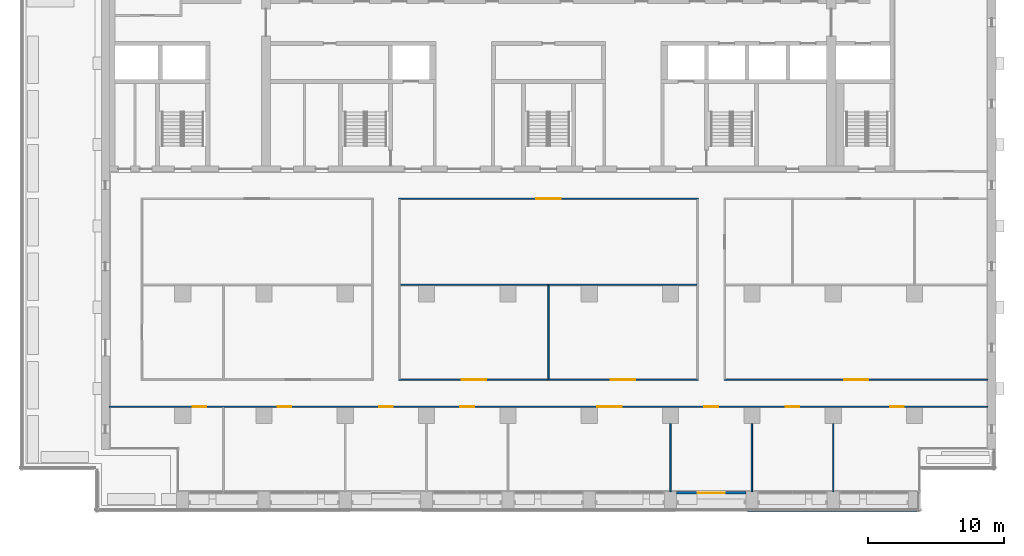
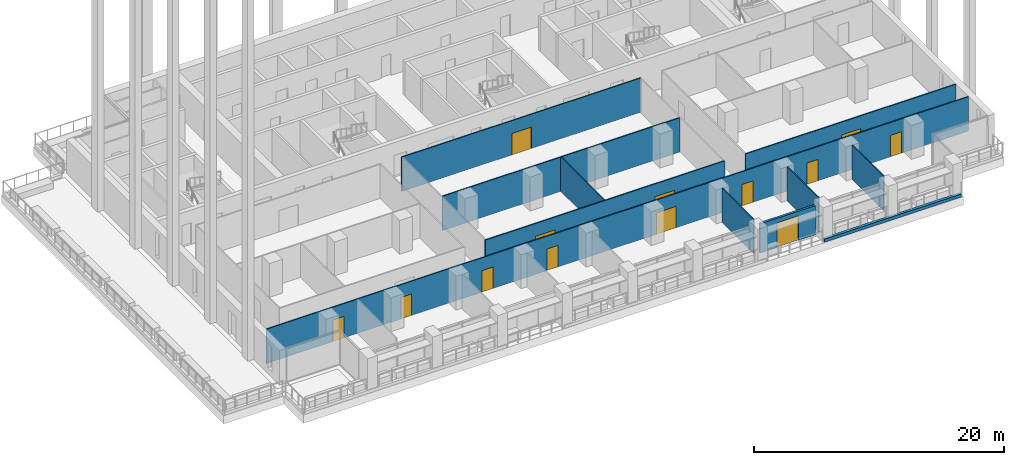
# One storey, part 9 of 19: 13 doors, 11 walls, 13 openings.
"""IFC4 building model written with IfcOpenShell, lengths in metres."""

from ifc_helpers import new_model, si_unit, direction, frame, frame_2d, origin, place, context, subcontext, project, spatial, rectangle, extrude, material, layer, layer_set, type_object, element, fill, save


model = new_model("IFC4")

# Units and contexts
model_context = context("Model", 3, precision=1e-05, world=origin(), true_north=direction((0.0, 1.0)))
body_context = subcontext(model_context, "Body", "Model", "MODEL_VIEW")
ifc_project = project(units=[si_unit("LENGTHUNIT", "METRE"), si_unit("AREAUNIT", "SQUARE_METRE"), si_unit("VOLUMEUNIT", "CUBIC_METRE"), si_unit("PLANEANGLEUNIT", "RADIAN"), si_unit("MASSUNIT", "GRAM", prefix="KILO")], contexts=[model_context])

# Site, building, storey
site_placement = place(None, origin())
site = spatial("IfcSite", under=ifc_project, at=site_placement, CompositionType="ELEMENT")
building_placement = place(site_placement, origin())
building = spatial("IfcBuilding", under=site, at=building_placement, Name="Calvaro Tower", CompositionType="ELEMENT")
storey_placement = place(building_placement, frame((0.0, 0.0, 166.75)))
storey = spatial("IfcBuildingStorey", under=building, at=storey_placement, Name="L41", CompositionType="ELEMENT", Elevation=166.75)

# Wall, opening, door
ifc_material_1 = material(Name="Anodised aluminium", Category="aluminium")
ifc_layer_1 = layer(ifc_material_1, 0.199951171875)
ifc_layer_set_1 = layer_set([ifc_layer_1], Name="Anodised aluminium")
wall_type_1 = type_object("IfcWallType", Name="Insulated door wall 200", PredefinedType="SOLIDWALL", material=ifc_layer_set_1)
wall_1_placement = place(storey_placement, frame((48.449951171875, 4.300048828125, 0.0), z_axis=(0.0, 0.0, 1.0), x_axis=(1.0, 0.0, 0.0)))
wall_1 = element("IfcWall", 1, at=wall_1_placement, inside=storey, type_object=wall_type_1, Name="Door wall", PredefinedType="SOLIDWALL", context=body_context, shape_type="SweptSolid", body=[
    extrude(rectangle(XDim=5.10009765625, YDim=0.199951171875, at=frame_2d((2.550048828125, 0.0))), origin(), (0.0, 0.0, 1.0), 2.85009765625),
])
opening_1_placement = place(wall_1_placement, frame((1.550048828125, 0.0, 0.0)))
opening_1 = element("IfcOpeningElement", 2, at=opening_1_placement, cuts=wall_1, Name="Opening DT17", PredefinedType="OPENING", context=body_context, shape_type="SweptSolid", body=[
    extrude(rectangle(XDim=2.0, YDim=2.39990234375, at=frame_2d((1.0, 1.199951171875))), frame((0.0, 0.10986328125, 0.0), z_axis=(0.0, -1.0, 0.0), x_axis=(1.0, 0.0, 0.0)), (0.0, 0.0, 1.0), 0.219970703125),
])
ifc_material_2 = material(Name="Glass", Category="glass")
door_type_1 = type_object("IfcDoorType", Name="Terrace door pair 2000 x 2400", OperationType="DOUBLE_DOOR_SINGLE_SWING", PredefinedType="DOOR", material=ifc_material_2)
door_1_placement = place(opening_1_placement, frame((2.0, 0.0, 0.0), z_axis=(0.0, 0.0, 1.0), x_axis=(-1.0, 0.0, 0.0)))
door_1 = element("IfcDoor", 3, at=door_1_placement, inside=storey, type_object=door_type_1, Name="Terrace door", OperationType="DOUBLE_DOOR_SINGLE_SWING", OverallHeight=2.39990234375, OverallWidth=2.0, PredefinedType="DOOR", context=body_context, shape_type="SweptSolid", body=[
    extrude(rectangle(XDim=2.0, YDim=2.39990234375, at=frame_2d((1.0, 1.199951171875))), frame((0.0, 0.02490234375, 0.0), z_axis=(0.0, -1.0, 0.0), x_axis=(1.0, 0.0, 0.0)), (0.0, 0.0, 1.0), 0.050048828125),
])
fill(opening_1, door_1)

# Wall, openings, doors
ifc_material_3 = material(Name="Plasterboard on steel studs", Category="steel")
ifc_layer_2 = layer(ifc_material_3, 0.10009765625)
ifc_layer_set_2 = layer_set([ifc_layer_2], Name="Plasterboard on steel studs")
wall_type_2 = type_object("IfcWallType", Name="Partition 100", PredefinedType="PARTITIONING", material=ifc_layer_set_2)
wall_2_placement = place(storey_placement, frame((6.60009765625, 10.64990234375, 0.0), z_axis=(0.0, 0.0, 1.0), x_axis=(1.0, 0.0, 0.0)))
wall_2 = element("IfcWall", 4, at=wall_2_placement, inside=storey, type_object=wall_type_2, Name="Partition T42.W001", PredefinedType="PARTITIONING", context=body_context, shape_type="SweptSolid", body=[
    extrude(rectangle(XDim=64.7998046875, YDim=0.10009765625, at=frame_2d((32.39990234375, 0.0))), origin(), (0.0, 0.0, 1.0), 3.35009765625),
])
opening_2_placement = place(wall_2_placement, frame((12.39990234375, 0.0, 0.0)))
opening_2 = element("IfcOpeningElement", 5, at=opening_2_placement, cuts=wall_2, Name="Opening T42.001", PredefinedType="OPENING", context=body_context, shape_type="SweptSolid", body=[
    extrude(rectangle(XDim=1.0, YDim=2.10009765625, at=frame_2d((0.5, 1.050048828125))), frame((0.0, 0.06005859375, 0.0), z_axis=(0.0, -1.0, 0.0), x_axis=(1.0, 0.0, 0.0)), (0.0, 0.0, 1.0), 0.1201171875),
])
opening_3_placement = place(wall_2_placement, frame((19.89990234375, 0.0, 0.0)))
opening_3 = element("IfcOpeningElement", 6, at=opening_3_placement, cuts=wall_2, Name="Opening T42.002", PredefinedType="OPENING", context=body_context, shape_type="SweptSolid", body=[
    extrude(rectangle(XDim=1.0, YDim=2.10009765625, at=frame_2d((0.5, 1.050048828125))), frame((0.0, 0.06005859375, 0.0), z_axis=(0.0, -1.0, 0.0), x_axis=(1.0, 0.0, 0.0)), (0.0, 0.0, 1.0), 0.1201171875),
])
opening_4_placement = place(wall_2_placement, frame((25.89990234375, 0.0, 0.0)))
opening_4 = element("IfcOpeningElement", 7, at=opening_4_placement, cuts=wall_2, Name="Opening T42.003", PredefinedType="OPENING", context=body_context, shape_type="SweptSolid", body=[
    extrude(rectangle(XDim=1.0, YDim=2.10009765625, at=frame_2d((0.5, 1.050048828125))), frame((0.0, 0.06005859375, 0.0), z_axis=(0.0, -1.0, 0.0), x_axis=(1.0, 0.0, 0.0)), (0.0, 0.0, 1.0), 0.1201171875),
])
opening_5_placement = place(wall_2_placement, frame((36.0, 0.0, 0.0)))
opening_5 = element("IfcOpeningElement", 8, at=opening_5_placement, cuts=wall_2, Name="Opening T42.004", PredefinedType="OPENING", context=body_context, shape_type="SweptSolid", body=[
    extrude(rectangle(XDim=1.800048828125, YDim=2.10009765625, at=frame_2d((0.89990234375, 1.050048828125))), frame((0.0, 0.06005859375, 0.0), z_axis=(0.0, -1.0, 0.0), x_axis=(1.0, 0.0, 0.0)), (0.0, 0.0, 1.0), 0.1201171875),
])
opening_6_placement = place(wall_2_placement, frame((43.89990234375, 0.0, 0.0)))
opening_6 = element("IfcOpeningElement", 9, at=opening_6_placement, cuts=wall_2, Name="Opening T42.005", PredefinedType="OPENING", context=body_context, shape_type="SweptSolid", body=[
    extrude(rectangle(XDim=1.0, YDim=2.10009765625, at=frame_2d((0.5, 1.050048828125))), frame((0.0, 0.06005859375, 0.0), z_axis=(0.0, -1.0, 0.0), x_axis=(1.0, 0.0, 0.0)), (0.0, 0.0, 1.0), 0.1201171875),
])
opening_7_placement = place(wall_2_placement, frame((49.89990234375, 0.0, 0.0)))
opening_7 = element("IfcOpeningElement", 10, at=opening_7_placement, cuts=wall_2, Name="Opening T42.006", PredefinedType="OPENING", context=body_context, shape_type="SweptSolid", body=[
    extrude(rectangle(XDim=1.0, YDim=2.10009765625, at=frame_2d((0.5, 1.050048828125))), frame((0.0, 0.06005859375, 0.0), z_axis=(0.0, -1.0, 0.0), x_axis=(1.0, 0.0, 0.0)), (0.0, 0.0, 1.0), 0.1201171875),
])
opening_8_placement = place(wall_2_placement, frame((57.60009765625, 0.0, 0.0)))
opening_8 = element("IfcOpeningElement", 11, at=opening_8_placement, cuts=wall_2, Name="Opening T42.007", PredefinedType="OPENING", context=body_context, shape_type="SweptSolid", body=[
    extrude(rectangle(XDim=1.0, YDim=2.10009765625, at=frame_2d((0.5, 1.050048828125))), frame((0.0, 0.06005859375, 0.0), z_axis=(0.0, -1.0, 0.0), x_axis=(1.0, 0.0, 0.0)), (0.0, 0.0, 1.0), 0.1201171875),
])
opening_9_placement = place(wall_2_placement, frame((6.14990234375, 0.0, 0.0)))
opening_9 = element("IfcOpeningElement", 12, at=opening_9_placement, cuts=wall_2, Name="Opening T42.008", PredefinedType="OPENING", context=body_context, shape_type="SweptSolid", body=[
    extrude(rectangle(XDim=1.0, YDim=2.10009765625, at=frame_2d((0.5, 1.050048828125))), frame((0.0, 0.06005859375, 0.0), z_axis=(0.0, -1.0, 0.0), x_axis=(1.0, 0.0, 0.0)), (0.0, 0.0, 1.0), 0.1201171875),
])
ifc_material_4 = material(Name="Timber", Category="wood")
door_type_2 = type_object("IfcDoorType", Name="Internal double door 1800 x 2100", OperationType="DOUBLE_DOOR_SINGLE_SWING", PredefinedType="DOOR", material=ifc_material_4)
door_2_placement = place(opening_5_placement, origin())
door_2 = element("IfcDoor", 13, at=door_2_placement, inside=storey, type_object=door_type_2, Name="Door T42.004", OperationType="DOUBLE_DOOR_SINGLE_SWING", OverallHeight=2.10009765625, OverallWidth=1.800048828125, PredefinedType="DOOR", context=body_context, shape_type="SweptSolid", body=[
    extrude(rectangle(XDim=1.800048828125, YDim=2.10009765625, at=frame_2d((0.89990234375, 1.050048828125))), frame((0.0, 0.02490234375, 0.0), z_axis=(0.0, -1.0, 0.0), x_axis=(1.0, 0.0, 0.0)), (0.0, 0.0, 1.0), 0.050048828125),
])
fill(opening_5, door_2)
ifc_material_5 = material(Name="Timber", Category="wood")
door_type_3 = type_object("IfcDoorType", Name="Internal single door 1000 x 2100", OperationType="SINGLE_SWING_LEFT", PredefinedType="DOOR", material=ifc_material_5)
door_3_placement = place(opening_2_placement, origin())
door_3 = element("IfcDoor", 14, at=door_3_placement, inside=storey, type_object=door_type_3, Name="Door T42.001", OperationType="SINGLE_SWING_LEFT", OverallHeight=2.10009765625, OverallWidth=1.0, PredefinedType="DOOR", context=body_context, shape_type="SweptSolid", body=[
    extrude(rectangle(XDim=1.0, YDim=2.10009765625, at=frame_2d((0.5, 1.050048828125))), frame((0.0, 0.02490234375, 0.0), z_axis=(0.0, -1.0, 0.0), x_axis=(1.0, 0.0, 0.0)), (0.0, 0.0, 1.0), 0.050048828125),
])
fill(opening_2, door_3)
door_4_placement = place(opening_3_placement, origin())
door_4 = element("IfcDoor", 15, at=door_4_placement, inside=storey, type_object=door_type_3, Name="Door T42.002", OperationType="SINGLE_SWING_LEFT", OverallHeight=2.10009765625, OverallWidth=1.0, PredefinedType="DOOR", context=body_context, shape_type="SweptSolid", body=[
    extrude(rectangle(XDim=1.0, YDim=2.10009765625, at=frame_2d((0.5, 1.050048828125))), frame((0.0, 0.02490234375, 0.0), z_axis=(0.0, -1.0, 0.0), x_axis=(1.0, 0.0, 0.0)), (0.0, 0.0, 1.0), 0.050048828125),
])
fill(opening_3, door_4)
door_5_placement = place(opening_4_placement, origin())
door_5 = element("IfcDoor", 16, at=door_5_placement, inside=storey, type_object=door_type_3, Name="Door T42.003", OperationType="SINGLE_SWING_LEFT", OverallHeight=2.10009765625, OverallWidth=1.0, PredefinedType="DOOR", context=body_context, shape_type="SweptSolid", body=[
    extrude(rectangle(XDim=1.0, YDim=2.10009765625, at=frame_2d((0.5, 1.050048828125))), frame((0.0, 0.02490234375, 0.0), z_axis=(0.0, -1.0, 0.0), x_axis=(1.0, 0.0, 0.0)), (0.0, 0.0, 1.0), 0.050048828125),
])
fill(opening_4, door_5)
door_6_placement = place(opening_6_placement, origin())
door_6 = element("IfcDoor", 17, at=door_6_placement, inside=storey, type_object=door_type_3, Name="Door T42.005", OperationType="SINGLE_SWING_RIGHT", OverallHeight=2.10009765625, OverallWidth=1.0, PredefinedType="DOOR", context=body_context, shape_type="SweptSolid", body=[
    extrude(rectangle(XDim=1.0, YDim=2.10009765625, at=frame_2d((0.5, 1.050048828125))), frame((0.0, 0.02490234375, 0.0), z_axis=(0.0, -1.0, 0.0), x_axis=(1.0, 0.0, 0.0)), (0.0, 0.0, 1.0), 0.050048828125),
])
fill(opening_6, door_6)
door_7_placement = place(opening_7_placement, origin())
door_7 = element("IfcDoor", 18, at=door_7_placement, inside=storey, type_object=door_type_3, Name="Door T42.006", OperationType="SINGLE_SWING_RIGHT", OverallHeight=2.10009765625, OverallWidth=1.0, PredefinedType="DOOR", context=body_context, shape_type="SweptSolid", body=[
    extrude(rectangle(XDim=1.0, YDim=2.10009765625, at=frame_2d((0.5, 1.050048828125))), frame((0.0, 0.02490234375, 0.0), z_axis=(0.0, -1.0, 0.0), x_axis=(1.0, 0.0, 0.0)), (0.0, 0.0, 1.0), 0.050048828125),
])
fill(opening_7, door_7)
door_8_placement = place(opening_8_placement, origin())
door_8 = element("IfcDoor", 19, at=door_8_placement, inside=storey, type_object=door_type_3, Name="Door T42.007", OperationType="SINGLE_SWING_RIGHT", OverallHeight=2.10009765625, OverallWidth=1.0, PredefinedType="DOOR", context=body_context, shape_type="SweptSolid", body=[
    extrude(rectangle(XDim=1.0, YDim=2.10009765625, at=frame_2d((0.5, 1.050048828125))), frame((0.0, 0.02490234375, 0.0), z_axis=(0.0, -1.0, 0.0), x_axis=(1.0, 0.0, 0.0)), (0.0, 0.0, 1.0), 0.050048828125),
])
fill(opening_8, door_8)
door_9_placement = place(opening_9_placement, origin())
door_9 = element("IfcDoor", 20, at=door_9_placement, inside=storey, type_object=door_type_3, Name="Door T42.008", OperationType="SINGLE_SWING_LEFT", OverallHeight=2.10009765625, OverallWidth=1.0, PredefinedType="DOOR", context=body_context, shape_type="SweptSolid", body=[
    extrude(rectangle(XDim=1.0, YDim=2.10009765625, at=frame_2d((0.5, 1.050048828125))), frame((0.0, 0.02490234375, 0.0), z_axis=(0.0, -1.0, 0.0), x_axis=(1.0, 0.0, 0.0)), (0.0, 0.0, 1.0), 0.050048828125),
])
fill(opening_9, door_9)

wall_3_placement = place(storey_placement, frame((27.949951171875, 12.64990234375, 0.0), z_axis=(0.0, 0.0, 1.0), x_axis=(1.0, 0.0, 0.0)))
wall_3 = element("IfcWall", 21, at=wall_3_placement, inside=storey, type_object=wall_type_2, Name="Partition T42.W003", PredefinedType="PARTITIONING", context=body_context, shape_type="SweptSolid", body=[
    extrude(rectangle(XDim=22.10009765625, YDim=0.10009765625, at=frame_2d((11.050048828125, 0.0))), origin(), (0.0, 0.0, 1.0), 3.35009765625),
])
opening_10_placement = place(wall_3_placement, frame((4.64990234375, 0.0, 0.0)))
opening_10 = element("IfcOpeningElement", 22, at=opening_10_placement, cuts=wall_3, Name="Opening T42.011", PredefinedType="OPENING", context=body_context, shape_type="SweptSolid", body=[
    extrude(rectangle(XDim=1.800048828125, YDim=2.10009765625, at=frame_2d((0.89990234375, 1.050048828125))), frame((0.0, 0.06005859375, 0.0), z_axis=(0.0, -1.0, 0.0), x_axis=(1.0, 0.0, 0.0)), (0.0, 0.0, 1.0), 0.1201171875),
])
opening_11_placement = place(wall_3_placement, frame((15.64990234375, 0.0, 0.0)))
opening_11 = element("IfcOpeningElement", 23, at=opening_11_placement, cuts=wall_3, Name="Opening T42.012", PredefinedType="OPENING", context=body_context, shape_type="SweptSolid", body=[
    extrude(rectangle(XDim=1.800048828125, YDim=2.10009765625, at=frame_2d((0.89990234375, 1.050048828125))), frame((0.0, 0.06005859375, 0.0), z_axis=(0.0, -1.0, 0.0), x_axis=(1.0, 0.0, 0.0)), (0.0, 0.0, 1.0), 0.1201171875),
])
door_10_placement = place(opening_10_placement, origin())
door_10 = element("IfcDoor", 24, at=door_10_placement, inside=storey, type_object=door_type_2, Name="Door T42.011", OperationType="DOUBLE_DOOR_SINGLE_SWING", OverallHeight=2.10009765625, OverallWidth=1.800048828125, PredefinedType="DOOR", context=body_context, shape_type="SweptSolid", body=[
    extrude(rectangle(XDim=1.800048828125, YDim=2.10009765625, at=frame_2d((0.89990234375, 1.050048828125))), frame((0.0, 0.02490234375, 0.0), z_axis=(0.0, -1.0, 0.0), x_axis=(1.0, 0.0, 0.0)), (0.0, 0.0, 1.0), 0.050048828125),
])
fill(opening_10, door_10)
door_11_placement = place(opening_11_placement, origin())
door_11 = element("IfcDoor", 25, at=door_11_placement, inside=storey, type_object=door_type_2, Name="Door T42.012", OperationType="DOUBLE_DOOR_SINGLE_SWING", OverallHeight=2.10009765625, OverallWidth=1.800048828125, PredefinedType="DOOR", context=body_context, shape_type="SweptSolid", body=[
    extrude(rectangle(XDim=1.800048828125, YDim=2.10009765625, at=frame_2d((0.89990234375, 1.050048828125))), frame((0.0, 0.02490234375, 0.0), z_axis=(0.0, -1.0, 0.0), x_axis=(1.0, 0.0, 0.0)), (0.0, 0.0, 1.0), 0.050048828125),
])
fill(opening_11, door_11)

# Wall, opening, door
wall_4_placement = place(storey_placement, frame((51.949951171875, 12.64990234375, 0.0), z_axis=(0.0, 0.0, 1.0), x_axis=(1.0, 0.0, 0.0)))
wall_4 = element("IfcWall", 26, at=wall_4_placement, inside=storey, type_object=wall_type_2, Name="Partition T42.W004", PredefinedType="PARTITIONING", context=body_context, shape_type="SweptSolid", body=[
    extrude(rectangle(XDim=19.449951171875, YDim=0.10009765625, at=frame_2d((9.72509765625, 0.0))), origin(), (0.0, 0.0, 1.0), 3.35009765625),
])
opening_12_placement = place(wall_4_placement, frame((8.85009765625, 0.0, 0.0)))
opening_12 = element("IfcOpeningElement", 27, at=opening_12_placement, cuts=wall_4, Name="Opening T42.013", PredefinedType="OPENING", context=body_context, shape_type="SweptSolid", body=[
    extrude(rectangle(XDim=1.800048828125, YDim=2.10009765625, at=frame_2d((0.89990234375, 1.050048828125))), frame((0.0, 0.06005859375, 0.0), z_axis=(0.0, -1.0, 0.0), x_axis=(1.0, 0.0, 0.0)), (0.0, 0.0, 1.0), 0.1201171875),
])
door_12_placement = place(opening_12_placement, origin())
door_12 = element("IfcDoor", 28, at=door_12_placement, inside=storey, type_object=door_type_2, Name="Door T42.013", OperationType="DOUBLE_DOOR_SINGLE_SWING", OverallHeight=2.10009765625, OverallWidth=1.800048828125, PredefinedType="DOOR", context=body_context, shape_type="SweptSolid", body=[
    extrude(rectangle(XDim=1.800048828125, YDim=2.10009765625, at=frame_2d((0.89990234375, 1.050048828125))), frame((0.0, 0.02490234375, 0.0), z_axis=(0.0, -1.0, 0.0), x_axis=(1.0, 0.0, 0.0)), (0.0, 0.0, 1.0), 0.050048828125),
])
fill(opening_12, door_12)

# Wall
wall_5_placement = place(storey_placement, frame((28.050048828125, 19.64990234375, 0.0), z_axis=(0.0, 0.0, 1.0), x_axis=(1.0, 0.0, 0.0)))
element("IfcWall", 29, at=wall_5_placement, inside=storey, type_object=wall_type_2, Name="Partition T42.W006", PredefinedType="PARTITIONING", context=body_context, shape_type="SweptSolid", body=[
    extrude(rectangle(XDim=21.89990234375, YDim=0.10009765625, at=frame_2d((10.949951171875, 0.0))), origin(), (0.0, 0.0, 1.0), 3.35009765625),
])

# Wall, opening, door
wall_6_placement = place(storey_placement, frame((27.949951171875, 26.0, 0.0), z_axis=(0.0, 0.0, 1.0), x_axis=(1.0, 0.0, 0.0)))
wall_6 = element("IfcWall", 30, at=wall_6_placement, inside=storey, type_object=wall_type_2, Name="Partition T42.W009", PredefinedType="PARTITIONING", context=body_context, shape_type="SweptSolid", body=[
    extrude(rectangle(XDim=22.10009765625, YDim=0.10009765625, at=frame_2d((11.050048828125, 0.0))), origin(), (0.0, 0.0, 1.0), 3.35009765625),
])
opening_13_placement = place(wall_6_placement, frame((10.14990234375, 0.0, 0.0)))
opening_13 = element("IfcOpeningElement", 31, at=opening_13_placement, cuts=wall_6, Name="Opening T42.015", PredefinedType="OPENING", context=body_context, shape_type="SweptSolid", body=[
    extrude(rectangle(XDim=1.800048828125, YDim=2.10009765625, at=frame_2d((0.89990234375, 1.050048828125))), frame((0.0, 0.06005859375, 0.0), z_axis=(0.0, -1.0, 0.0), x_axis=(1.0, 0.0, 0.0)), (0.0, 0.0, 1.0), 0.1201171875),
])
door_13_placement = place(opening_13_placement, origin())
door_13 = element("IfcDoor", 32, at=door_13_placement, inside=storey, type_object=door_type_2, Name="Door T42.015", OperationType="DOUBLE_DOOR_SINGLE_SWING", OverallHeight=2.10009765625, OverallWidth=1.800048828125, PredefinedType="DOOR", context=body_context, shape_type="SweptSolid", body=[
    extrude(rectangle(XDim=1.800048828125, YDim=2.10009765625, at=frame_2d((0.89990234375, 1.050048828125))), frame((0.0, 0.02490234375, 0.0), z_axis=(0.0, -1.0, 0.0), x_axis=(1.0, 0.0, 0.0)), (0.0, 0.0, 1.0), 0.050048828125),
])
fill(opening_13, door_13)

# Walls
wall_7_placement = place(storey_placement, frame((39.0, 12.699951171875, 0.0), z_axis=(0.0, 0.0, 1.0), x_axis=(0.0, 1.0, 0.0)))
element("IfcWall", 33, at=wall_7_placement, inside=storey, type_object=wall_type_2, Name="Partition T42.W020", PredefinedType="PARTITIONING", context=body_context, shape_type="SweptSolid", body=[
    extrude(rectangle(XDim=6.900146484375, YDim=0.10009765625, at=frame_2d((3.4501953125, 0.0))), origin(), (0.0, 0.0, 1.0), 3.35009765625),
])
for number, where, z_axis, x_axis, name in (
    (34, (48.0, 4.39990234375, 0.0), (0.0, 0.0, 1.0), (0.0, 1.0, 0.0), "Partition T42.W021"),
    (35, (54.0, 4.39990234375, 0.0), (0.0, 0.0, 1.0), (0.0, 1.0, 0.0), "Partition T42.W024"),
    (36, (60.0, 4.39990234375, 0.0), (0.0, 0.0, 1.0), (0.0, 1.0, 0.0), "Partition T42.W026"),
):
    element("IfcWall", number, at=place(storey_placement, frame(where, z_axis=z_axis, x_axis=x_axis)), inside=storey, type_object=wall_type_2, Name=name, PredefinedType="PARTITIONING", context=body_context, shape_type="SweptSolid", body=[
        extrude(rectangle(XDim=5.0, YDim=0.10009765625, at=frame_2d((2.5, 0.0))), origin(), (0.0, 0.0, 1.0), 3.35009765625),
    ])
ifc_material_6 = material(Name="Concrete C40/50", Category="concrete")
ifc_layer_3 = layer(ifc_material_6, 0.199951171875, Name="Structure")
ifc_material_7 = material(Name="Reconstituted stone coping")
ifc_layer_4 = layer(ifc_material_7, 0.050048828125, Name="Finish")
ifc_layer_set_3 = layer_set([ifc_layer_3, ifc_layer_4], Name="Concrete C40/50")
wall_type_3 = type_object("IfcWallType", Name="Terrace edge kerb 250", PredefinedType="PARAPET", material=ifc_layer_set_3)
wall_8_placement = place(storey_placement, frame((53.675048828125, 3.050048828125, 0.0), z_axis=(0.0, 0.0, 1.0), x_axis=(1.0, 0.0, 0.0)))
element("IfcWall", 37, at=wall_8_placement, inside=storey, type_object=wall_type_3, Name="Terrace edge kerb", PredefinedType="PARAPET", context=body_context, shape_type="SweptSolid", body=[
    extrude(rectangle(XDim=12.64990234375, YDim=0.25, at=frame_2d((6.324951171875, 0.0))), origin(), (0.0, 0.0, 1.0), 0.300048828125),
])

save(model, "model.ifc")
